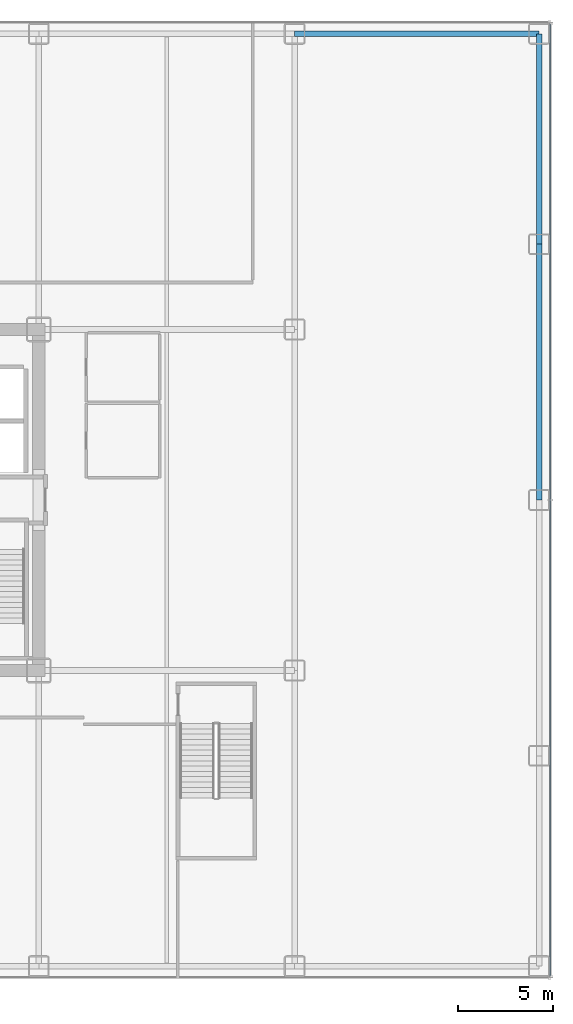
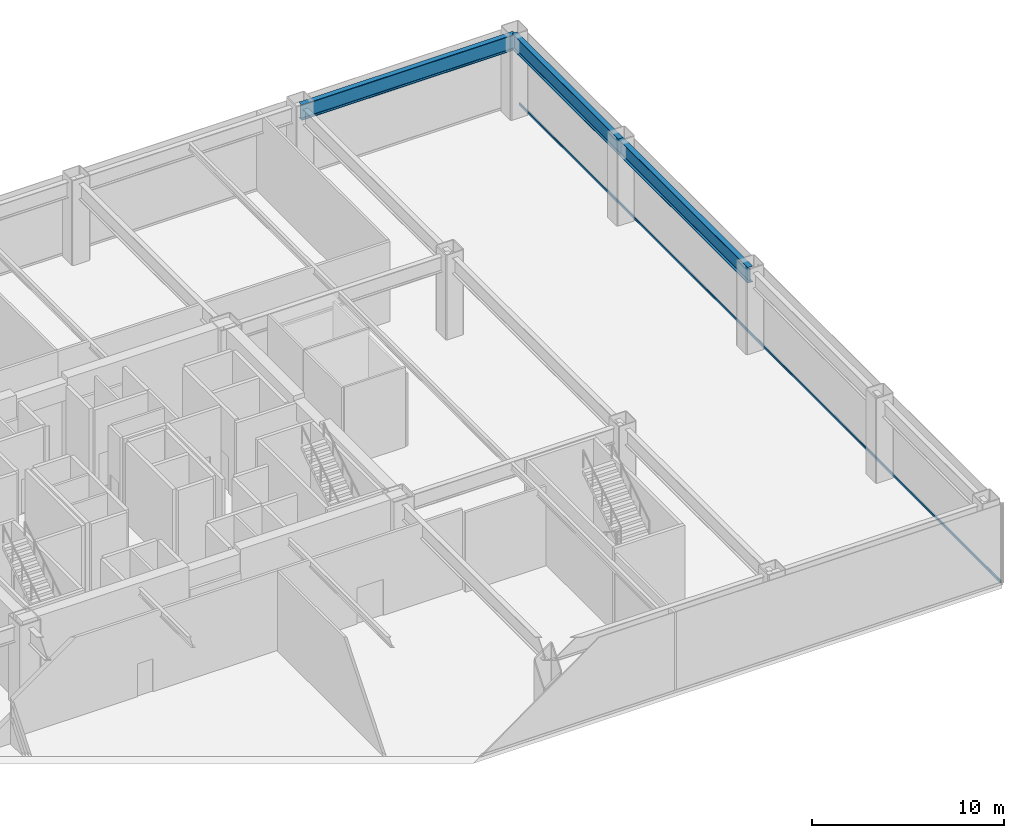
# One storey, part 14 of 24: 3 beams, 1 member, 1 element without a shape of its own.
"""IFC4 building model written with IfcOpenShell, lengths in metres."""

from ifc_helpers import new_model, si_unit, direction, frame, origin, origin_2d, place, context, subcontext, project, spatial, hollow_rectangle, i_section, extrude, source, transform, mapped, material, layer, layer_set, material_profile, profile_set, type_object, element, aggregate, save


model = new_model("IFC4")

# Units and contexts
model_context = context("Model", 3, precision=1e-05, world=origin(), true_north=direction((0.0, 1.0)))
body_context = subcontext(model_context, "Body", "Model", "MODEL_VIEW")
ifc_project = project(units=[si_unit("LENGTHUNIT", "METRE"), si_unit("AREAUNIT", "SQUARE_METRE"), si_unit("VOLUMEUNIT", "CUBIC_METRE"), si_unit("PLANEANGLEUNIT", "RADIAN"), si_unit("MASSUNIT", "GRAM", prefix="KILO")], contexts=[model_context])

# Site, building, storey
site_placement = place(None, origin())
site = spatial("IfcSite", under=ifc_project, at=site_placement, CompositionType="ELEMENT")
building_placement = place(site_placement, origin())
building = spatial("IfcBuilding", under=site, at=building_placement, Name="Nefas-Gora Pilgrimage Tower", CompositionType="ELEMENT")
storey_placement = place(building_placement, frame((0.0, 0.0, 16.800048828125)))
storey = spatial("IfcBuildingStorey", under=building, at=storey_placement, Name="L03", CompositionType="ELEMENT", Elevation=16.800048828125)

# Beams
ifc_material_1 = material(Name="Steel S460", Category="steel")
ifc_material_profile_1 = material_profile(ifc_material_1, i_section(OverallWidth=0.300048828125, OverallDepth=1.0, WebThickness=0.01904296875, FlangeThickness=0.035888671875, FilletRadius=0.030029296875, at=origin_2d()), Name="HEB 1000")
ifc_profile_set_1 = profile_set([ifc_material_profile_1], Name="Steel S460")
beam_type = type_object("IfcBeamType", Name="BM-POD-HEB1000E", PredefinedType="BEAM", material=ifc_profile_set_1)
shared_shape_1 = source(origin(), body_context, "Body", "SweptSolid", [
    extrude(i_section(OverallWidth=0.300048828125, OverallDepth=1.0, WebThickness=0.01904296875, FlangeThickness=0.035888671875, FilletRadius=0.030029296875, at=origin_2d()), origin(), (0.0, 0.0, 1.0), 12.89990234375),
])
beam_1_placement = place(storey_placement, frame((24.75, 24.60009765625, 4.599853515625), z_axis=(1.0, 0.0, 0.0), x_axis=(0.0, 1.0, 0.0)))
element("IfcBeam", 1, at=beam_1_placement, inside=storey, type_object=beam_type, Name="L03 PG-01E beam", PredefinedType="BEAM", context=body_context, shape_type="MappedRepresentation", body=[
    mapped(shared_shape_1, transform((0.0, 0.0, 0.0), x_axis=(1.0, 0.0, 0.0), y_axis=(0.0, 1.0, 0.0), z_axis=(0.0, 0.0, 1.0), scale=1.0)),
])
shared_shape_2 = source(origin(), body_context, "Body", "SweptSolid", [
    extrude(i_section(OverallWidth=0.300048828125, OverallDepth=1.0, WebThickness=0.01904296875, FlangeThickness=0.035888671875, FilletRadius=0.030029296875, at=origin_2d()), origin(), (0.0, 0.0, 1.0), 13.5),
])
beam_2_placement = place(storey_placement, frame((37.64990234375, 0.0, 4.599853515625), z_axis=(0.0, 1.0, 0.0), x_axis=(-1.0, 0.0, 0.0)))
element("IfcBeam", 2, at=beam_2_placement, inside=storey, type_object=beam_type, Name="L03 PG-01E beam", PredefinedType="BEAM", context=body_context, shape_type="MappedRepresentation", body=[
    mapped(shared_shape_2, transform((0.0, 0.0, 0.0), x_axis=(1.0, 0.0, 0.0), y_axis=(0.0, 1.0, 0.0), z_axis=(0.0, 0.0, 1.0), scale=1.0)),
])
shared_shape_3 = source(origin(), body_context, "Body", "SweptSolid", [
    extrude(i_section(OverallWidth=0.300048828125, OverallDepth=1.0, WebThickness=0.01904296875, FlangeThickness=0.035888671875, FilletRadius=0.030029296875, at=origin_2d()), origin(), (0.0, 0.0, 1.0), 11.10009765625),
])
beam_3_placement = place(storey_placement, frame((37.64990234375, 13.5, 4.599853515625), z_axis=(0.0, 1.0, 0.0), x_axis=(-1.0, 0.0, 0.0)))
element("IfcBeam", 3, at=beam_3_placement, inside=storey, type_object=beam_type, Name="L03 PG-01E beam", PredefinedType="BEAM", context=body_context, shape_type="MappedRepresentation", body=[
    mapped(shared_shape_3, transform((0.0, 0.0, 0.0), x_axis=(1.0, 0.0, 0.0), y_axis=(0.0, 1.0, 0.0), z_axis=(0.0, 0.0, 1.0), scale=1.0)),
])

# Curtain wall, member
ifc_material_2 = material(Name="Dark ceramic-fritted solar-control aluminium-glass curtain wall", Category="aluminium")
ifc_layer = layer(ifc_material_2, 0.219970703125)
ifc_layer_set = layer_set([ifc_layer], Name="Dark ceramic-fritted solar-control aluminium-glass curtain wall")
curtain_wall_type = type_object("IfcCurtainWallType", Name="CW-SYS-1", PredefinedType="NOTDEFINED", material=ifc_layer_set)
curtain_wall_placement = place(storey_placement, origin())
curtain_wall = element("IfcCurtainWall", 4, at=curtain_wall_placement, inside=storey, type_object=curtain_wall_type, Name="L03 Unitised Curtain Wall CW1", PredefinedType="NOTDEFINED")
ifc_material_3 = material(Name="Anodised architectural aluminium", Category="aluminium")
ifc_material_profile_2 = material_profile(ifc_material_3, hollow_rectangle(XDim=0.080078125, YDim=0.159912109375, WallThickness=0.00439453125, InnerFilletRadius=0.00439453125, OuterFilletRadius=0.009033203125, at=origin_2d()), Name="ALU TRANSOM 80x160")
ifc_profile_set_2 = profile_set([ifc_material_profile_2], Name="Anodised architectural aluminium")
member_type = type_object("IfcMemberType", Name="CWM-TRN-1", PredefinedType="USERDEFINED", material=ifc_profile_set_2)
shared_shape_4 = source(origin(), body_context, "Body", "SweptSolid", [
    extrude(hollow_rectangle(XDim=0.080078125, YDim=0.159912109375, WallThickness=0.00439453125, InnerFilletRadius=0.00439453125, OuterFilletRadius=0.009033203125, at=origin_2d()), origin(), (0.0, 0.0, 1.0), 50.22021484375),
])
member_placement = place(storey_placement, frame((38.25, -25.110107421875, 0.050048828125), z_axis=(0.0, 1.0, 0.0), x_axis=(-1.0, 0.0, 0.0)))
member = element("IfcMember", 5, at=member_placement, type_object=member_type, Name="CW1 Spandrel Transom", ObjectType="TRANSOM", PredefinedType="USERDEFINED", context=body_context, shape_type="MappedRepresentation", body=[
    mapped(shared_shape_4, transform((0.0, 0.0, 0.0), x_axis=(1.0, 0.0, 0.0), y_axis=(0.0, 1.0, 0.0), z_axis=(0.0, 0.0, 1.0), scale=1.0)),
])
aggregate(curtain_wall, [member])

save(model, "model.ifc")
